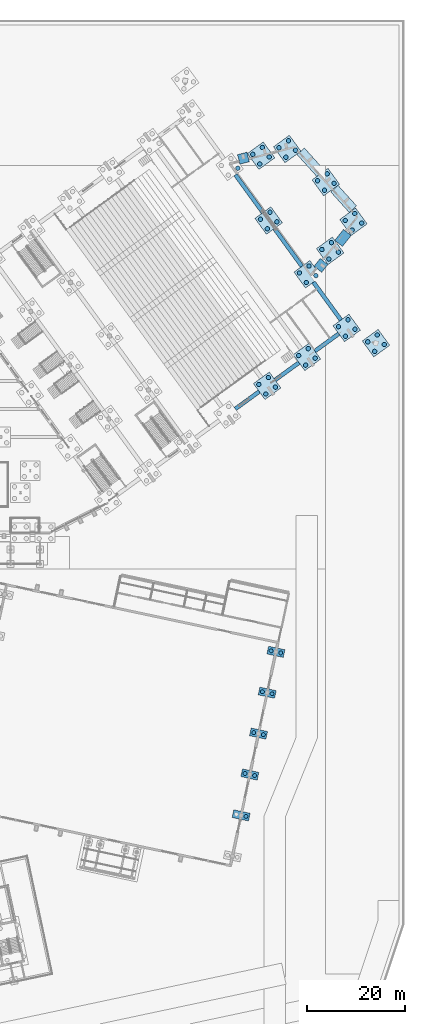
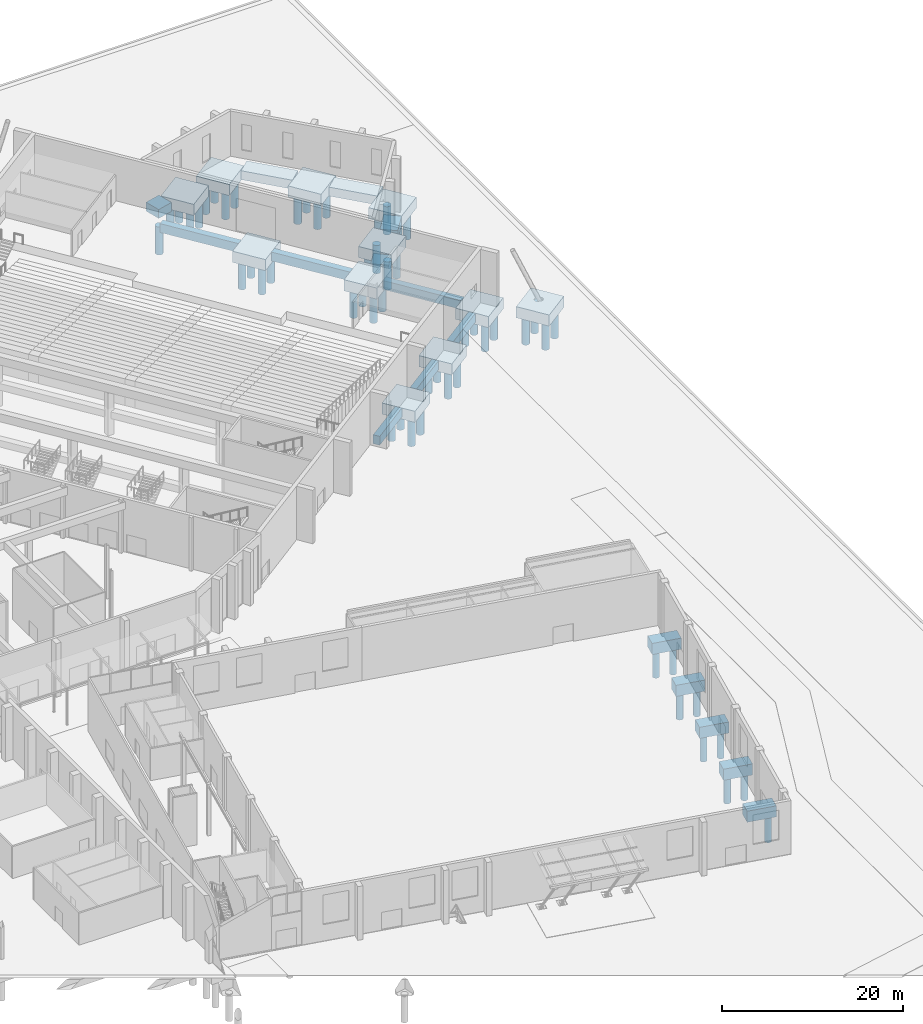
# One storey, part 10 of 239: 54 piles, 27 footings.
"""IFC4 building model written with IfcOpenShell, lengths in metres."""

from ifc_helpers import new_model, si_unit, direction, frame, origin, origin_2d, place, context, subcontext, project, spatial, rectangle, circle, extrude, material, material_profile, profile_set, type_object, element, save


model = new_model("IFC4")

# Units and contexts
model_context = context("Model", 3, precision=1e-05, world=origin(), true_north=direction((0.0, 1.0)))
body_context = subcontext(model_context, "Body", "Model", "MODEL_VIEW")
ifc_project = project(units=[si_unit("LENGTHUNIT", "METRE"), si_unit("AREAUNIT", "SQUARE_METRE"), si_unit("VOLUMEUNIT", "CUBIC_METRE"), si_unit("PLANEANGLEUNIT", "RADIAN"), si_unit("MASSUNIT", "GRAM", prefix="KILO")], contexts=[model_context])

# Site, building, storey
site_placement = place(None, origin())
site = spatial("IfcSite", under=ifc_project, at=site_placement, CompositionType="ELEMENT")
building_placement = place(site_placement, origin())
building = spatial("IfcBuilding", under=site, at=building_placement, Name="Okhra Congress Centre", CompositionType="ELEMENT")
storey_placement = place(building_placement, origin())
storey = spatial("IfcBuildingStorey", under=building, at=storey_placement, Name="L00", CompositionType="ELEMENT", Elevation=0.0)

# Piles
ifc_material_1 = material(Name="Concrete C30/37", Category="concrete")
ifc_material_profile_1 = material_profile(ifc_material_1, circle(Radius=0.39990234375, at=origin_2d()), Name="D800")
ifc_profile_set_1 = profile_set([ifc_material_profile_1], Name="Concrete C30/37")
pile_type_1 = type_object("IfcPileType", Name="Bored pile D800 C30/37", PredefinedType="BORED", material=ifc_profile_set_1)
for number, where, z_axis, x_axis, name in (
    (1, (257.862548828125, 92.054443359375, -1.800048828125), (0.0, 0.0, -1.0), (1.0, 0.0, 0.0), "BR.PILE.L00.E1-2"),
    (2, (257.673583984375, 100.784423828125, -1.800048828125), (0.0, 0.0, -1.0), (1.0, 0.0, 0.0), "BR.PILE.L00.E2-1"),
    (3, (259.6298828125, 100.36865234375, -1.800048828125), (0.0, 0.0, -1.0), (1.0, 0.0, 0.0), "BR.PILE.L00.E2-2"),
    (4, (259.44091796875, 109.0986328125, -1.800048828125), (0.0, 0.0, -1.0), (1.0, 0.0, 0.0), "BR.PILE.L00.E3-1"),
    (5, (261.397216796875, 108.682861328125, -1.800048828125), (0.0, 0.0, -1.0), (1.0, 0.0, 0.0), "BR.PILE.L00.E3-2"),
    (6, (261.2080078125, 117.412841796875, -1.800048828125), (0.0, 0.0, -1.0), (1.0, 0.0, 0.0), "BR.PILE.L00.E4-1"),
    (7, (263.164306640625, 116.9970703125, -1.800048828125), (0.0, 0.0, -1.0), (1.0, 0.0, 0.0), "BR.PILE.L00.E4-2"),
    (8, (262.975341796875, 125.727294921875, -1.800048828125), (0.0, 0.0, -1.0), (1.0, 0.0, 0.0), "BR.PILE.L00.E5-1"),
    (9, (264.931640625, 125.311279296875, -1.800048828125), (0.0, 0.0, -1.0), (1.0, 0.0, 0.0), "BR.PILE.L00.E5-2"),
):
    element("IfcPile", number, at=place(storey_placement, frame(where, z_axis=z_axis, x_axis=x_axis)), inside=storey, type_object=pile_type_1, Name=name, PredefinedType="BORED", context=body_context, shape_type="SweptSolid", body=[
        extrude(circle(Radius=0.39990234375, at=origin_2d()), origin(), (0.0, 0.0, 1.0), 3.699951171875),
    ])
ifc_material_profile_2 = material_profile(ifc_material_1, circle(Radius=0.449951171875, at=origin_2d()), Name="D900")
ifc_profile_set_2 = profile_set([ifc_material_profile_2], Name="Concrete C30/37")
pile_type_2 = type_object("IfcPileType", Name="Bored pile D900 C30/37", PredefinedType="BORED", material=ifc_profile_set_2)
for number, where, z_axis, x_axis, name in (
    (10, (261.90576171875, 177.944091796875, -1.699951171875), (0.0, 0.0, -1.0), (1.0, 0.0, 0.0), "Bored pile 9.1"),
    (11, (263.847412109375, 179.354736328125, -1.699951171875), (0.0, 0.0, -1.0), (1.0, 0.0, 0.0), "Bored pile 9.2"),
    (12, (260.4951171875, 179.8857421875, -1.699951171875), (0.0, 0.0, -1.0), (1.0, 0.0, 0.0), "Bored pile 9.3"),
    (13, (262.436767578125, 181.29638671875, -1.699951171875), (0.0, 0.0, -1.0), (1.0, 0.0, 0.0), "Bored pile 9.4"),
    (14, (269.995849609375, 183.822021484375, -1.699951171875), (0.0, 0.0, -1.0), (1.0, 0.0, 0.0), "Bored pile 11.1"),
    (15, (271.9375, 185.232666015625, -1.699951171875), (0.0, 0.0, -1.0), (1.0, 0.0, 0.0), "Bored pile 11.2"),
    (16, (268.585205078125, 185.763671875, -1.699951171875), (0.0, 0.0, -1.0), (1.0, 0.0, 0.0), "Bored pile 11.3"),
    (17, (270.52685546875, 187.17431640625, -1.699951171875), (0.0, 0.0, -1.0), (1.0, 0.0, 0.0), "Bored pile 11.4"),
    (18, (278.0859375, 189.699951171875, -1.699951171875), (0.0, 0.0, -1.0), (1.0, 0.0, 0.0), "Bored pile 13.1"),
    (19, (280.027587890625, 191.110595703125, -1.699951171875), (0.0, 0.0, -1.0), (1.0, 0.0, 0.0), "Bored pile 13.2"),
    (20, (276.67529296875, 191.641357421875, -1.699951171875), (0.0, 0.0, -1.0), (1.0, 0.0, 0.0), "Bored pile 13.3"),
    (21, (278.616943359375, 193.05224609375, -1.699951171875), (0.0, 0.0, -1.0), (1.0, 0.0, 0.0), "Bored pile 13.4"),
    (22, (270.15087890625, 200.62158203125, -1.699951171875), (0.0, 0.0, -1.0), (1.0, 0.0, 0.0), "Bored pile 18.1"),
    (23, (272.092529296875, 202.0322265625, -1.699951171875), (0.0, 0.0, -1.0), (1.0, 0.0, 0.0), "Bored pile 18.2"),
    (24, (268.740234375, 202.563232421875, -1.699951171875), (0.0, 0.0, -1.0), (1.0, 0.0, 0.0), "Bored pile 18.3"),
    (25, (270.681884765625, 203.973876953125, -1.699951171875), (0.0, 0.0, -1.0), (1.0, 0.0, 0.0), "Bored pile 18.4"),
    (26, (262.2158203125, 211.543212890625, -1.699951171875), (0.0, 0.0, -1.0), (1.0, 0.0, 0.0), "Bored pile 19.1"),
    (27, (264.157470703125, 212.953857421875, -1.699951171875), (0.0, 0.0, -1.0), (1.0, 0.0, 0.0), "Bored pile 19.2"),
    (28, (260.80517578125, 213.48486328125, -1.699951171875), (0.0, 0.0, -1.0), (1.0, 0.0, 0.0), "Bored pile 19.3"),
    (29, (262.746826171875, 214.8955078125, -1.699951171875), (0.0, 0.0, -1.0), (1.0, 0.0, 0.0), "Bored pile 19.4"),
    (30, (256.222412109375, 223.875732421875, -1.699951171875), (0.0, 0.0, -1.0), (1.0, 0.0, 0.0), "Bored pile 20.2"),
    (31, (274.72119140625, 205.3896484375, -1.699951171875), (0.0, 0.0, -1.0), (1.0, 0.0, 0.0), "Foyer bored pile 300.1"),
    (32, (276.662841796875, 206.80029296875, -1.699951171875), (0.0, 0.0, -1.0), (1.0, 0.0, 0.0), "Foyer bored pile 300.2"),
    (33, (273.310546875, 207.331298828125, -1.699951171875), (0.0, 0.0, -1.0), (1.0, 0.0, 0.0), "Foyer bored pile 300.3"),
    (34, (275.251953125, 208.741943359375, -1.699951171875), (0.0, 0.0, -1.0), (1.0, 0.0, 0.0), "Foyer bored pile 300.4"),
    (35, (279.451416015625, 211.298583984375, -1.699951171875), (0.0, 0.0, -1.0), (1.0, 0.0, 0.0), "Foyer bored pile 301.1"),
    (36, (281.39306640625, 212.709228515625, -1.699951171875), (0.0, 0.0, -1.0), (1.0, 0.0, 0.0), "Foyer bored pile 301.2"),
    (37, (278.040771484375, 213.240234375, -1.699951171875), (0.0, 0.0, -1.0), (1.0, 0.0, 0.0), "Foyer bored pile 301.3"),
    (38, (279.982421875, 214.65087890625, -1.699951171875), (0.0, 0.0, -1.0), (1.0, 0.0, 0.0), "Foyer bored pile 301.4"),
    (39, (260.668212890625, 224.731689453125, -1.699951171875), (0.0, 0.0, -1.0), (1.0, 0.0, 0.0), "Foyer bored pile 302.1"),
    (40, (262.60986328125, 226.142578125, -1.699951171875), (0.0, 0.0, -1.0), (1.0, 0.0, 0.0), "Foyer bored pile 302.2"),
    (41, (259.257568359375, 226.67333984375, -1.699951171875), (0.0, 0.0, -1.0), (1.0, 0.0, 0.0), "Foyer bored pile 302.3"),
    (42, (261.19921875, 228.084228515625, -1.699951171875), (0.0, 0.0, -1.0), (1.0, 0.0, 0.0), "Foyer bored pile 302.4"),
    (43, (265.98388671875, 226.09228515625, -1.699951171875), (0.0, 0.0, -1.0), (1.0, 0.0, 0.0), "Foyer bored pile 303.1"),
    (44, (267.925537109375, 227.5029296875, -1.699951171875), (0.0, 0.0, -1.0), (1.0, 0.0, 0.0), "Foyer bored pile 303.2"),
    (45, (264.5732421875, 228.033935546875, -1.699951171875), (0.0, 0.0, -1.0), (1.0, 0.0, 0.0), "Foyer bored pile 303.3"),
    (46, (266.5146484375, 229.444580078125, -1.699951171875), (0.0, 0.0, -1.0), (1.0, 0.0, 0.0), "Foyer bored pile 303.4"),
    (47, (273.8359375, 219.36767578125, -1.699951171875), (0.0, 0.0, -1.0), (1.0, 0.0, 0.0), "Foyer bored pile 304.1"),
    (48, (275.777587890625, 220.778564453125, -1.699951171875), (0.0, 0.0, -1.0), (1.0, 0.0, 0.0), "Foyer bored pile 304.2"),
    (49, (272.42529296875, 221.309326171875, -1.699951171875), (0.0, 0.0, -1.0), (1.0, 0.0, 0.0), "Foyer bored pile 304.3"),
    (50, (274.366943359375, 222.72021484375, -1.699951171875), (0.0, 0.0, -1.0), (1.0, 0.0, 0.0), "Foyer bored pile 304.4"),
    (51, (284.039794921875, 186.609130859375, -1.699951171875), (0.0, 0.0, -1.0), (1.0, 0.0, 0.0), "Foyer bored pile 330.1"),
    (52, (285.9814453125, 188.019775390625, -1.699951171875), (0.0, 0.0, -1.0), (1.0, 0.0, 0.0), "Foyer bored pile 330.2"),
    (53, (282.629150390625, 188.55078125, -1.699951171875), (0.0, 0.0, -1.0), (1.0, 0.0, 0.0), "Foyer bored pile 330.3"),
    (54, (284.57080078125, 189.96142578125, -1.699951171875), (0.0, 0.0, -1.0), (1.0, 0.0, 0.0), "Foyer bored pile 330.4"),
):
    element("IfcPile", number, at=place(storey_placement, frame(where, z_axis=z_axis, x_axis=x_axis)), inside=storey, type_object=pile_type_2, Name=name, PredefinedType="BORED", context=body_context, shape_type="SweptSolid", body=[
        extrude(circle(Radius=0.449951171875, at=origin_2d()), origin(), (0.0, 0.0, 1.0), 3.800048828125),
    ])

# Footings
footing_type_1 = type_object("IfcFootingType", Name="Pile cap 3400x1600x1500 C30/37", PredefinedType="PILE_CAP", material=ifc_material_1)
for number, where, z_axis, x_axis, name in (
    (55, (256.884521484375, 92.26220703125, -1.89990234375), (0.0, 0.0, 1.0), (0.978147600734, -0.207911690818, 0.0), "BR.FTG.L00.cap-E1"),
    (56, (258.651611328125, 100.576416015625, -1.89990234375), (0.0, 0.0, 1.0), (0.978147600734, -0.207911690818, 0.0), "BR.FTG.L00.cap-E2"),
    (57, (260.4189453125, 108.890869140625, -1.89990234375), (0.0, 0.0, 1.0), (0.978147600734, -0.207911690818, 0.0), "BR.FTG.L00.cap-E3"),
    (58, (262.186279296875, 117.205078125, -1.89990234375), (0.0, 0.0, 1.0), (0.978147600734, -0.207911690818, 0.0), "BR.FTG.L00.cap-E4"),
    (59, (263.953369140625, 125.519287109375, -1.89990234375), (0.0, 0.0, 1.0), (0.978147600734, -0.207911690818, 0.0), "BR.FTG.L00.cap-E5"),
):
    element("IfcFooting", number, at=place(storey_placement, frame(where, z_axis=z_axis, x_axis=x_axis)), inside=storey, type_object=footing_type_1, Name=name, PredefinedType="PILE_CAP", context=body_context, shape_type="SweptSolid", body=[
        extrude(rectangle(XDim=3.39990234375, YDim=1.60009765625, at=origin_2d()), origin(), (0.0, 0.0, 1.0), 1.5),
    ])
ifc_material_2 = material(Name="Concrete C35/45", Category="concrete")
footing_type_2 = type_object("IfcFootingType", Name="RC pile cap 4000x4000x1500 C35/45", PredefinedType="PILE_CAP", material=ifc_material_2)
for number, where, z_axis, x_axis, name in (
    (60, (262.171142578125, 179.620361328125, -1.800048828125), (0.0, 0.0, 1.0), (0.809016994375, 0.587785252292, 0.0), "Pile cap 9"),
    (61, (270.26123046875, 185.498046875, -1.800048828125), (0.0, 0.0, 1.0), (0.809016994375, 0.587785252292, 0.0), "Pile cap 11"),
    (62, (278.3515625, 191.3759765625, -1.800048828125), (0.0, 0.0, 1.0), (0.809016994375, 0.587785252292, 0.0), "Pile cap 13"),
    (63, (270.41650390625, 202.297607421875, -1.800048828125), (0.0, 0.0, 1.0), (0.809016994375, 0.587785252292, 0.0), "Pile cap 18"),
    (64, (262.481201171875, 213.219482421875, -1.800048828125), (0.0, 0.0, 1.0), (0.809016994375, 0.587785252292, 0.0), "Pile cap 19"),
    (65, (274.986572265625, 207.06591796875, -1.800048828125), (0.0, 0.0, 1.0), (0.809016994375, 0.587785252292, 0.0), "Foyer pile cap 300"),
    (66, (279.716796875, 212.974853515625, -1.800048828125), (0.0, 0.0, 1.0), (0.809016994375, 0.587785252292, 0.0), "Foyer pile cap 301"),
    (67, (260.933837890625, 226.407958984375, -1.800048828125), (0.0, 0.0, 1.0), (0.809016994375, 0.587785252292, 0.0), "Foyer pile cap 302"),
    (68, (266.249267578125, 227.768310546875, -1.800048828125), (0.0, 0.0, 1.0), (0.809016994375, 0.587785252292, 0.0), "Foyer pile cap 303"),
    (69, (274.101318359375, 221.0439453125, -1.800048828125), (0.0, 0.0, 1.0), (0.809016994375, 0.587785252292, 0.0), "Foyer pile cap 304"),
    (70, (284.30517578125, 188.28515625, -1.800048828125), (0.0, 0.0, 1.0), (0.809016994375, 0.587785252292, 0.0), "Foyer pile cap 330"),
):
    element("IfcFooting", number, at=place(storey_placement, frame(where, z_axis=z_axis, x_axis=x_axis)), inside=storey, type_object=footing_type_2, Name=name, PredefinedType="PILE_CAP", context=body_context, shape_type="SweptSolid", body=[
        extrude(rectangle(XDim=4.0, YDim=4.0, at=origin_2d()), origin(), (0.0, 0.0, 1.0), 1.5),
    ])
footing_type_3 = type_object("IfcFootingType", Name="RC strip footing 2000x1200 C35/45", PredefinedType="STRIP_FOOTING", material=ifc_material_2)
footing_1_placement = place(storey_placement, frame((273.12451171875, 204.099609375, -1.5), z_axis=(0.0, 0.0, 1.0), x_axis=(0.624949621825, 0.780665081953, 0.0)))
element("IfcFooting", 71, at=footing_1_placement, inside=storey, type_object=footing_type_3, Name="Stage house strip footing 1", PredefinedType="STRIP_FOOTING", context=body_context, shape_type="SweptSolid", body=[
    extrude(rectangle(XDim=2.02001953125, YDim=2.0, at=origin_2d()), origin(), (0.0, 0.0, 1.0), 1.199951171875),
])
footing_2_placement = place(storey_placement, frame((277.595458984375, 209.684814453125, -1.5), z_axis=(0.0, 0.0, 1.0), x_axis=(0.624949621825, 0.780665081953, 0.0)))
element("IfcFooting", 72, at=footing_2_placement, inside=storey, type_object=footing_type_3, Name="Stage house strip footing 2", PredefinedType="STRIP_FOOTING", context=body_context, shape_type="SweptSolid", body=[
    extrude(rectangle(XDim=2.849609375, YDim=2.0, at=origin_2d()), origin(), (0.0, 0.0, 1.0), 1.199951171875),
])
footing_3_placement = place(storey_placement, frame((257.341552734375, 225.901611328125, -1.5), z_axis=(0.0, 0.0, 1.0), x_axis=(-0.968775738661, -0.247938637937, 0.0)))
element("IfcFooting", 73, at=footing_3_placement, inside=storey, type_object=footing_type_3, Name="Stage house strip footing 3", PredefinedType="STRIP_FOOTING", context=body_context, shape_type="SweptSolid", body=[
    extrude(rectangle(XDim=1.982666015625, YDim=2.0, at=origin_2d()), origin(), (0.0, 0.0, 1.0), 1.199951171875),
])
footing_4_placement = place(storey_placement, frame((277.731689453125, 217.611083984375, -1.5), z_axis=(0.0, 0.0, 1.0), x_axis=(0.669247408273, -0.743039639939, 0.0)))
element("IfcFooting", 74, at=footing_4_placement, inside=storey, type_object=footing_type_3, Name="Stage house strip footing 4", PredefinedType="STRIP_FOOTING", context=body_context, shape_type="SweptSolid", body=[
    extrude(rectangle(XDim=5.62451171875, YDim=2.0, at=origin_2d()), origin(), (0.0, 0.0, 1.0), 1.199951171875),
])
footing_5_placement = place(storey_placement, frame((271.0068359375, 225.077392578125, -1.5), z_axis=(0.0, 0.0, 1.0), x_axis=(0.669247408273, -0.743039639939, 0.0)))
element("IfcFooting", 75, at=footing_5_placement, inside=storey, type_object=footing_type_3, Name="Stage house strip footing 5", PredefinedType="STRIP_FOOTING", context=body_context, shape_type="SweptSolid", body=[
    extrude(rectangle(XDim=5.96875, YDim=2.0, at=origin_2d()), origin(), (0.0, 0.0, 1.0), 1.199951171875),
])
footing_type_4 = type_object("IfcFootingType", Name="RC strip footing 800x1200 C35/45", PredefinedType="STRIP_FOOTING", material=ifc_material_2)
for number, where, z_axis, x_axis, name in (
    (76, (258.1259765625, 176.681396484375, -1.5), (0.0, 0.0, 1.0), (0.809016994375, 0.587785252292, 0.0), "Strip footing 4"),
    (77, (266.21630859375, 182.559326171875, -1.5), (0.0, 0.0, 1.0), (0.809016994375, 0.587785252292, 0.0), "Strip footing 5"),
    (78, (274.306396484375, 188.43701171875, -1.5), (0.0, 0.0, 1.0), (0.809016994375, 0.587785252292, 0.0), "Strip footing 6"),
):
    element("IfcFooting", number, at=place(storey_placement, frame(where, z_axis=z_axis, x_axis=x_axis)), inside=storey, type_object=footing_type_4, Name=name, PredefinedType="STRIP_FOOTING", context=body_context, shape_type="SweptSolid", body=[
        extrude(rectangle(XDim=6.0, YDim=0.800048828125, at=origin_2d()), origin(), (0.0, 0.0, 1.0), 1.199951171875),
    ])
for number, where, z_axis, x_axis, name in (
    (79, (274.384033203125, 196.8369140625, -1.5), (0.0, 0.0, 1.0), (-0.587785252292, 0.809016994375, 0.0), "Strip footing 17"),
    (80, (266.448974609375, 207.758544921875, -1.5), (0.0, 0.0, 1.0), (-0.587785252292, 0.809016994375, 0.0), "Strip footing 18"),
    (81, (258.513671875, 218.680419921875, -1.5), (0.0, 0.0, 1.0), (-0.587785252292, 0.809016994375, 0.0), "Strip footing 19"),
):
    element("IfcFooting", number, at=place(storey_placement, frame(where, z_axis=z_axis, x_axis=x_axis)), inside=storey, type_object=footing_type_4, Name=name, PredefinedType="STRIP_FOOTING", context=body_context, shape_type="SweptSolid", body=[
        extrude(rectangle(XDim=9.5, YDim=0.800048828125, at=origin_2d()), origin(), (0.0, 0.0, 1.0), 1.199951171875),
    ])

save(model, "model.ifc")
